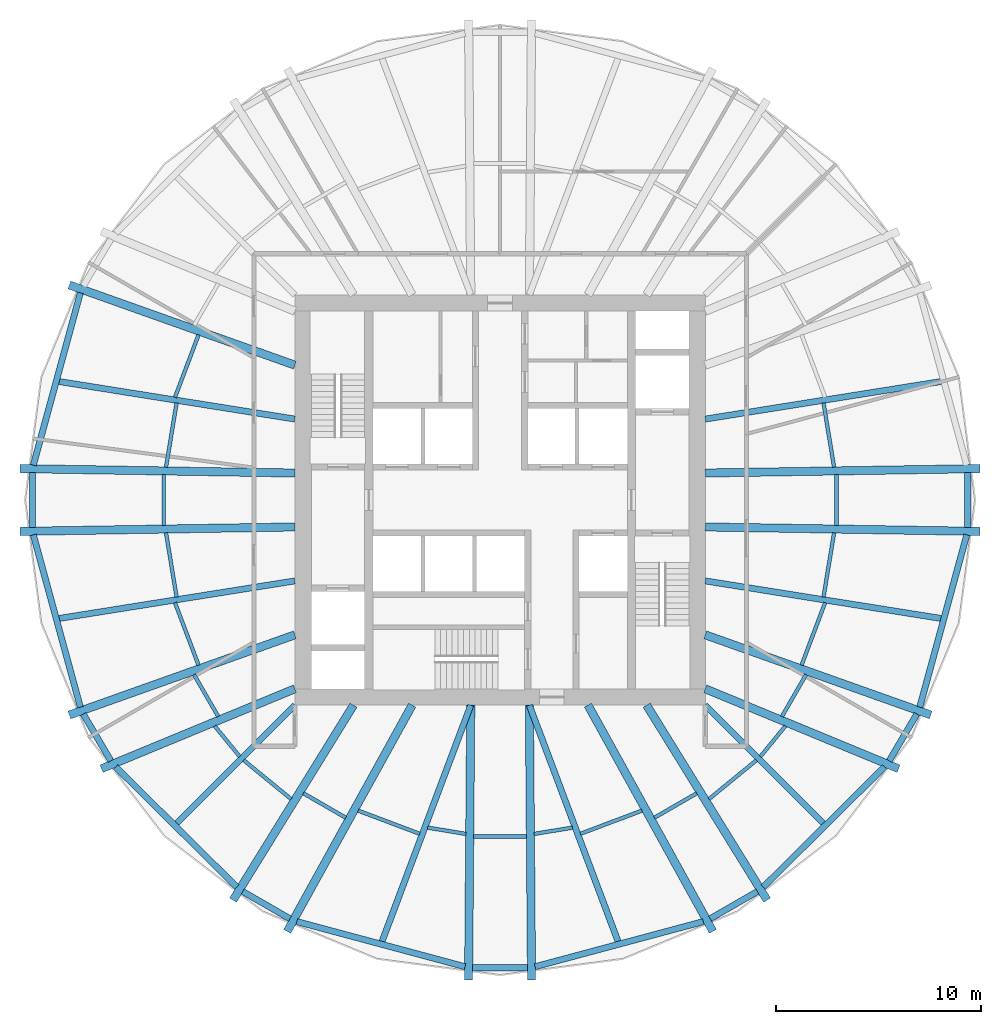
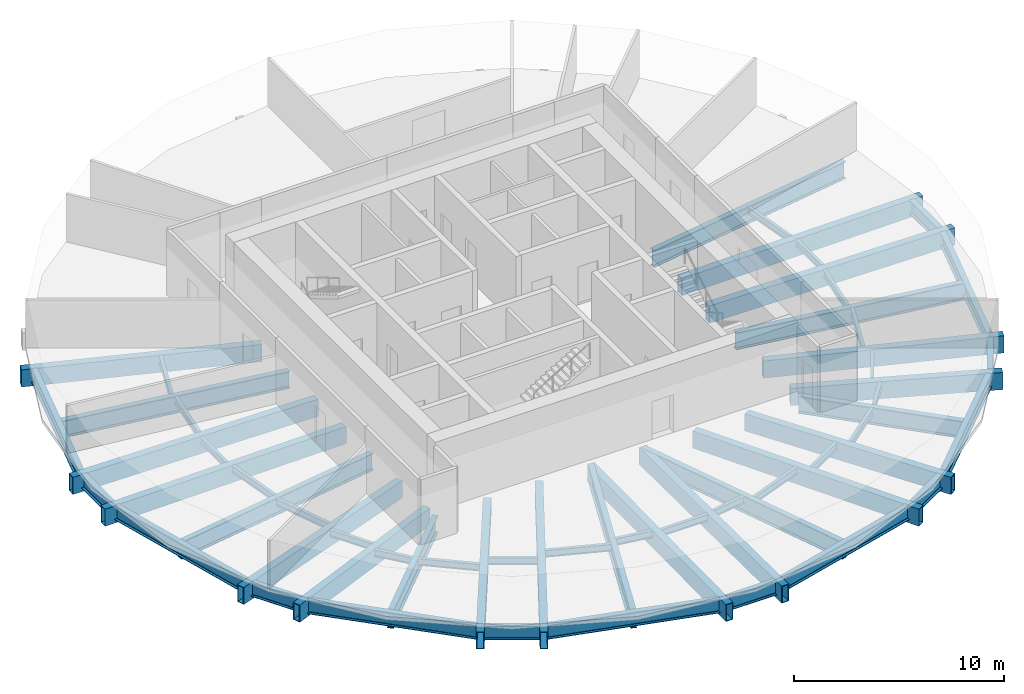
# One storey, part 1 of 6: 59 beams.
"""IFC4 building model written with IfcOpenShell, lengths in metres."""

from ifc_helpers import new_model, si_unit, direction, frame, origin, origin_2d, place, context, subcontext, project, spatial, hollow_rectangle, i_section, extrude, material, material_profile, profile_set, type_object, element, save


model = new_model("IFC4")

# Units and contexts
model_context = context("Model", 3, precision=1e-05, world=origin(), true_north=direction((0.0, 1.0)))
body_context = subcontext(model_context, "Body", "Model", "MODEL_VIEW")
ifc_project = project(units=[si_unit("LENGTHUNIT", "METRE"), si_unit("AREAUNIT", "SQUARE_METRE"), si_unit("VOLUMEUNIT", "CUBIC_METRE"), si_unit("PLANEANGLEUNIT", "RADIAN"), si_unit("MASSUNIT", "GRAM", prefix="KILO")], contexts=[model_context])

# Site, building, storey
site_placement = place(None, origin())
site = spatial("IfcSite", under=ifc_project, at=site_placement, CompositionType="ELEMENT")
building_placement = place(site_placement, origin())
building = spatial("IfcBuilding", under=site, at=building_placement, Name="Golbaran Civic Tower", CompositionType="ELEMENT")
storey_placement = place(building_placement, frame((0.0, 0.0, 49.0)))
storey = spatial("IfcBuildingStorey", under=building, at=storey_placement, Name="L11", CompositionType="ELEMENT", Elevation=49.0)

# Beams
ifc_material = material(Name="Steel S355", Category="steel")
ifc_material_profile_1 = material_profile(ifc_material, i_section(OverallWidth=0.300048828125, OverallDepth=0.800048828125, WebThickness=0.017578125, FlangeThickness=0.032958984375, FilletRadius=0.030029296875, at=origin_2d()), Name="HEB 800")
ifc_profile_set_1 = profile_set([ifc_material_profile_1], Name="Steel S355")
beam_type_1 = type_object("IfcBeamType", Name="EDGE BEAM HEB 800", PredefinedType="BEAM", material=ifc_profile_set_1)
beam_1_placement = place(storey_placement, frame((-20.450927734375, 10.0947265625, -0.60009765625), z_axis=(-0.263276423612, -0.964720438661, 0.0), x_axis=(0.964720438661, -0.263276423612, 0.0)))
element("IfcBeam", 1, at=beam_1_placement, inside=storey, type_object=beam_type_1, Name="Edge beam 153.66 L11", PredefinedType="BEAM", context=body_context, shape_type="SweptSolid", body=[
    extrude(i_section(OverallWidth=0.300048828125, OverallDepth=0.800048828125, WebThickness=0.017578125, FlangeThickness=0.032958984375, FilletRadius=0.030029296875, at=origin_2d()), origin(), (0.0, 0.0, 1.0), 8.703857421875),
])
beam_2_placement = place(storey_placement, frame((-22.791259765625, 1.3388671875, -0.60009765625), z_axis=(0.0, -1.0, 0.0), x_axis=(1.0, 0.0, 0.0)))
element("IfcBeam", 2, at=beam_2_placement, inside=storey, type_object=beam_type_1, Name="Edge beam 176.34 L11", PredefinedType="BEAM", context=body_context, shape_type="SweptSolid", body=[
    extrude(i_section(OverallWidth=0.300048828125, OverallDepth=0.800048828125, WebThickness=0.017578125, FlangeThickness=0.032958984375, FilletRadius=0.030029296875, at=origin_2d()), origin(), (0.0, 0.0, 1.0), 2.677734375),
])
beam_3_placement = place(storey_placement, frame((-22.742431640625, -1.697998046875, -0.60009765625), z_axis=(0.263276423612, -0.964720438661, 0.0), x_axis=(0.964720438661, 0.263276423612, 0.0)))
element("IfcBeam", 3, at=beam_3_placement, inside=storey, type_object=beam_type_1, Name="Edge beam 183.66 L11", PredefinedType="BEAM", context=body_context, shape_type="SweptSolid", body=[
    extrude(i_section(OverallWidth=0.300048828125, OverallDepth=0.800048828125, WebThickness=0.017578125, FlangeThickness=0.032958984375, FilletRadius=0.030029296875, at=origin_2d()), origin(), (0.0, 0.0, 1.0), 8.703857421875),
])
beam_4_placement = place(storey_placement, frame((-20.310546875, -10.427001953125, -0.60009765625), z_axis=(0.507587353896, -0.861600300699, 0.0), x_axis=(0.861600300699, 0.507587353896, 0.0)))
element("IfcBeam", 4, at=beam_4_placement, inside=storey, type_object=beam_type_1, Name="Edge beam 206.34 L11", PredefinedType="BEAM", context=body_context, shape_type="SweptSolid", body=[
    extrude(i_section(OverallWidth=0.300048828125, OverallDepth=0.800048828125, WebThickness=0.017578125, FlangeThickness=0.032958984375, FilletRadius=0.030029296875, at=origin_2d()), origin(), (0.0, 0.0, 1.0), 2.651611328125),
])
beam_5_placement = place(storey_placement, frame((-18.733642578125, -13.005615234375, -0.60009765625), z_axis=(0.710314694297, -0.703884248344, 0.0), x_axis=(0.703884248344, 0.710314694297, 0.0)))
element("IfcBeam", 5, at=beam_5_placement, inside=storey, type_object=beam_type_1, Name="Edge beam 213.66 L11", PredefinedType="BEAM", context=body_context, shape_type="SweptSolid", body=[
    extrude(i_section(OverallWidth=0.300048828125, OverallDepth=0.800048828125, WebThickness=0.017578125, FlangeThickness=0.032958984375, FilletRadius=0.030029296875, at=origin_2d()), origin(), (0.0, 0.0, 1.0), 8.314697265625),
])
beam_6_placement = place(storey_placement, frame((-12.54052734375, -19.078369140625, -0.60009765625), z_axis=(0.866205476031, -0.499687975934, 0.0), x_axis=(0.499687975934, 0.866205476031, 0.0)))
element("IfcBeam", 6, at=beam_6_placement, inside=storey, type_object=beam_type_1, Name="Edge beam 236.34 L11", PredefinedType="BEAM", context=body_context, shape_type="SweptSolid", body=[
    extrude(i_section(OverallWidth=0.300048828125, OverallDepth=0.800048828125, WebThickness=0.017578125, FlangeThickness=0.032958984375, FilletRadius=0.030029296875, at=origin_2d()), origin(), (0.0, 0.0, 1.0), 2.656494140625),
])
beam_7_placement = place(storey_placement, frame((-9.904541015625, -20.543701171875, -0.60009765625), z_axis=(0.96584705219, -0.259112855288, 0.0), x_axis=(0.259112855288, 0.96584705219, 0.0)))
element("IfcBeam", 7, at=beam_7_placement, inside=storey, type_object=beam_type_1, Name="Edge beam 243.66 L11", PredefinedType="BEAM", context=body_context, shape_type="SweptSolid", body=[
    extrude(i_section(OverallWidth=0.300048828125, OverallDepth=0.800048828125, WebThickness=0.017578125, FlangeThickness=0.032958984375, FilletRadius=0.030029296875, at=origin_2d()), origin(), (0.0, 0.0, 1.0), 8.485595703125),
])
beam_8_placement = place(storey_placement, frame((-1.34912109375, -22.790771484375, -0.60009765625), z_axis=(1.0, 0.0, 0.0), x_axis=(0.0, 1.0, 0.0)))
element("IfcBeam", 8, at=beam_8_placement, inside=storey, type_object=beam_type_1, Name="Edge beam 266.34 L11", PredefinedType="BEAM", context=body_context, shape_type="SweptSolid", body=[
    extrude(i_section(OverallWidth=0.300048828125, OverallDepth=0.800048828125, WebThickness=0.017578125, FlangeThickness=0.032958984375, FilletRadius=0.030029296875, at=origin_2d()), origin(), (0.0, 0.0, 1.0), 2.6982421875),
])
beam_9_placement = place(storey_placement, frame((1.708740234375, -22.742431640625, -0.60009765625), z_axis=(0.96584705219, 0.259112855288, 0.0), x_axis=(-0.259112855288, 0.96584705219, 0.0)))
element("IfcBeam", 9, at=beam_9_placement, inside=storey, type_object=beam_type_1, Name="Edge beam 273.66 L11", PredefinedType="BEAM", context=body_context, shape_type="SweptSolid", body=[
    extrude(i_section(OverallWidth=0.300048828125, OverallDepth=0.800048828125, WebThickness=0.017578125, FlangeThickness=0.032958984375, FilletRadius=0.030029296875, at=origin_2d()), origin(), (0.0, 0.0, 1.0), 8.485595703125),
])
beam_10_placement = place(storey_placement, frame((10.239501953125, -20.40576171875, -0.60009765625), z_axis=(0.866205476031, 0.499687975934, 0.0), x_axis=(-0.499687975934, 0.866205476031, 0.0)))
element("IfcBeam", 10, at=beam_10_placement, inside=storey, type_object=beam_type_1, Name="Edge beam 296.34 L11", PredefinedType="BEAM", context=body_context, shape_type="SweptSolid", body=[
    extrude(i_section(OverallWidth=0.300048828125, OverallDepth=0.800048828125, WebThickness=0.017578125, FlangeThickness=0.032958984375, FilletRadius=0.030029296875, at=origin_2d()), origin(), (0.0, 0.0, 1.0), 2.656494140625),
])
beam_11_placement = place(storey_placement, frame((12.82763671875, -18.858154296875, -0.60009765625), z_axis=(0.710314694297, 0.703884248344, 0.0), x_axis=(-0.703884248344, 0.710314694297, 0.0)))
element("IfcBeam", 11, at=beam_11_placement, inside=storey, type_object=beam_type_1, Name="Edge beam 303.66 L11", PredefinedType="BEAM", context=body_context, shape_type="SweptSolid", body=[
    extrude(i_section(OverallWidth=0.300048828125, OverallDepth=0.800048828125, WebThickness=0.017578125, FlangeThickness=0.032958984375, FilletRadius=0.030029296875, at=origin_2d()), origin(), (0.0, 0.0, 1.0), 8.314697265625),
])
beam_12_placement = place(storey_placement, frame((18.964599609375, -12.711669921875, -0.60009765625), z_axis=(0.507587353896, 0.861600300699, 0.0), x_axis=(-0.861600300699, 0.507587353896, 0.0)))
element("IfcBeam", 12, at=beam_12_placement, inside=storey, type_object=beam_type_1, Name="Edge beam 326.34 L11", PredefinedType="BEAM", context=body_context, shape_type="SweptSolid", body=[
    extrude(i_section(OverallWidth=0.300048828125, OverallDepth=0.800048828125, WebThickness=0.017578125, FlangeThickness=0.032958984375, FilletRadius=0.030029296875, at=origin_2d()), origin(), (0.0, 0.0, 1.0), 2.651611328125),
])
beam_13_placement = place(storey_placement, frame((20.450927734375, -10.0947265625, -0.60009765625), z_axis=(0.263276423612, 0.964720438661, 0.0), x_axis=(-0.964720438661, 0.263276423612, 0.0)))
element("IfcBeam", 13, at=beam_13_placement, inside=storey, type_object=beam_type_1, Name="Edge beam 333.66 L11", PredefinedType="BEAM", context=body_context, shape_type="SweptSolid", body=[
    extrude(i_section(OverallWidth=0.300048828125, OverallDepth=0.800048828125, WebThickness=0.017578125, FlangeThickness=0.032958984375, FilletRadius=0.030029296875, at=origin_2d()), origin(), (0.0, 0.0, 1.0), 8.703857421875),
])
beam_14_placement = place(storey_placement, frame((22.791259765625, -1.3388671875, -0.60009765625), z_axis=(0.0, 1.0, 0.0), x_axis=(-1.0, 0.0, 0.0)))
element("IfcBeam", 14, at=beam_14_placement, inside=storey, type_object=beam_type_1, Name="Edge beam 356.34 L11", PredefinedType="BEAM", context=body_context, shape_type="SweptSolid", body=[
    extrude(i_section(OverallWidth=0.300048828125, OverallDepth=0.800048828125, WebThickness=0.017578125, FlangeThickness=0.032958984375, FilletRadius=0.030029296875, at=origin_2d()), origin(), (0.0, 0.0, 1.0), 2.677734375),
])
ifc_material_profile_2 = material_profile(ifc_material, i_section(OverallWidth=0.179931640625, OverallDepth=0.39990234375, WebThickness=0.008544921875, FlangeThickness=0.013427734375, FilletRadius=0.02099609375, at=origin_2d()), Name="IPE 400")
ifc_profile_set_2 = profile_set([ifc_material_profile_2], Name="Steel S355")
beam_type_2 = type_object("IfcBeamType", Name="FLOOR INFILL BEAM IPE 400", PredefinedType="BEAM", material=ifc_profile_set_2)
beam_15_placement = place(storey_placement, frame((16.27783203125, 1.5947265625, -0.39990234375), z_axis=(-0.162179944824, 0.986761199834, 0.0), x_axis=(-0.986761199834, -0.162179944824, 0.0)))
element("IfcBeam", 15, at=beam_15_placement, inside=storey, type_object=beam_type_2, Name="Infill beam 9.33 L11", PredefinedType="BEAM", context=body_context, shape_type="SweptSolid", body=[
    extrude(i_section(OverallWidth=0.179931640625, OverallDepth=0.39990234375, WebThickness=0.008544921875, FlangeThickness=0.013427734375, FilletRadius=0.02099609375, at=origin_2d()), origin(), (0.0, 0.0, 1.0), 3.17626953125),
])
beam_16_placement = place(storey_placement, frame((-14.6923828125, 8.048095703125, -0.39990234375), z_axis=(-0.352981635382, -0.935630250197, 0.0), x_axis=(0.935630250197, -0.352981635382, 0.0)))
element("IfcBeam", 16, at=beam_16_placement, inside=storey, type_object=beam_type_2, Name="Infill beam 159.33 L11", PredefinedType="BEAM", context=body_context, shape_type="SweptSolid", body=[
    extrude(i_section(OverallWidth=0.179931640625, OverallDepth=0.39990234375, WebThickness=0.008544921875, FlangeThickness=0.013427734375, FilletRadius=0.02099609375, at=origin_2d()), origin(), (0.0, 0.0, 1.0), 3.2529296875),
])
beam_17_placement = place(storey_placement, frame((-15.7626953125, 4.72900390625, -0.39990234375), z_axis=(-0.162179944824, -0.986761199834, 0.0), x_axis=(0.986761199834, -0.162179944824, 0.0)))
element("IfcBeam", 17, at=beam_17_placement, inside=storey, type_object=beam_type_2, Name="Infill beam 170.67 L11", PredefinedType="BEAM", context=body_context, shape_type="SweptSolid", body=[
    extrude(i_section(OverallWidth=0.179931640625, OverallDepth=0.39990234375, WebThickness=0.008544921875, FlangeThickness=0.013427734375, FilletRadius=0.02099609375, at=origin_2d()), origin(), (0.0, 0.0, 1.0), 3.17626953125),
])
beam_18_placement = place(storey_placement, frame((-16.395751953125, 1.236572265625, -0.39990234375), z_axis=(0.0, -1.0, 0.0), x_axis=(1.0, 0.0, 0.0)))
element("IfcBeam", 18, at=beam_18_placement, inside=storey, type_object=beam_type_2, Name="Infill beam 180.00 L11", PredefinedType="BEAM", context=body_context, shape_type="SweptSolid", body=[
    extrude(i_section(OverallWidth=0.179931640625, OverallDepth=0.39990234375, WebThickness=0.008544921875, FlangeThickness=0.013427734375, FilletRadius=0.02099609375, at=origin_2d()), origin(), (0.0, 0.0, 1.0), 2.47314453125),
])
beam_19_placement = place(storey_placement, frame((-16.27783203125, -1.5947265625, -0.39990234375), z_axis=(0.162179944824, -0.986761199834, 0.0), x_axis=(0.986761199834, 0.162179944824, 0.0)))
element("IfcBeam", 19, at=beam_19_placement, inside=storey, type_object=beam_type_2, Name="Infill beam 189.33 L11", PredefinedType="BEAM", context=body_context, shape_type="SweptSolid", body=[
    extrude(i_section(OverallWidth=0.179931640625, OverallDepth=0.39990234375, WebThickness=0.008544921875, FlangeThickness=0.013427734375, FilletRadius=0.02099609375, at=origin_2d()), origin(), (0.0, 0.0, 1.0), 3.17626953125),
])
beam_20_placement = place(storey_placement, frame((-15.840576171875, -5.004638671875, -0.39990234375), z_axis=(0.352981635382, -0.935630250197, 0.0), x_axis=(0.935630250197, 0.352981635382, 0.0)))
element("IfcBeam", 20, at=beam_20_placement, inside=storey, type_object=beam_type_2, Name="Infill beam 200.67 L11", PredefinedType="BEAM", context=body_context, shape_type="SweptSolid", body=[
    extrude(i_section(OverallWidth=0.179931640625, OverallDepth=0.39990234375, WebThickness=0.008544921875, FlangeThickness=0.013427734375, FilletRadius=0.02099609375, at=origin_2d()), origin(), (0.0, 0.0, 1.0), 3.2529296875),
])
beam_21_placement = place(storey_placement, frame((-14.91357421875, -8.5087890625, -0.39990234375), z_axis=(0.499994490818, -0.866028584489, 0.0), x_axis=(0.866028584489, 0.499994490818, 0.0)))
element("IfcBeam", 21, at=beam_21_placement, inside=storey, type_object=beam_type_2, Name="Infill beam 210.00 L11", PredefinedType="BEAM", context=body_context, shape_type="SweptSolid", body=[
    extrude(i_section(OverallWidth=0.179931640625, OverallDepth=0.39990234375, WebThickness=0.008544921875, FlangeThickness=0.013427734375, FilletRadius=0.02099609375, at=origin_2d()), origin(), (0.0, 0.0, 1.0), 2.3564453125),
])
beam_22_placement = place(storey_placement, frame((-13.908203125, -11.0107421875, -0.39990234375), z_axis=(0.633823662999, -0.773477578358, 0.0), x_axis=(0.773477578358, 0.633823662999, 0.0)))
element("IfcBeam", 22, at=beam_22_placement, inside=storey, type_object=beam_type_2, Name="Infill beam 219.33 L11", PredefinedType="BEAM", context=body_context, shape_type="SweptSolid", body=[
    extrude(i_section(OverallWidth=0.179931640625, OverallDepth=0.39990234375, WebThickness=0.008544921875, FlangeThickness=0.013427734375, FilletRadius=0.02099609375, at=origin_2d()), origin(), (0.0, 0.0, 1.0), 1.92822265625),
])
beam_23_placement = place(storey_placement, frame((-12.4951171875, -12.678955078125, -0.39990234375), z_axis=(0.773506224093, -0.633788703978, 0.0), x_axis=(0.633788703978, 0.773506224093, 0.0)))
element("IfcBeam", 23, at=beam_23_placement, inside=storey, type_object=beam_type_2, Name="Infill beam 230.67 L11", PredefinedType="BEAM", context=body_context, shape_type="SweptSolid", body=[
    extrude(i_section(OverallWidth=0.179931640625, OverallDepth=0.39990234375, WebThickness=0.008544921875, FlangeThickness=0.013427734375, FilletRadius=0.02099609375, at=origin_2d()), origin(), (0.0, 0.0, 1.0), 2.991455078125),
])
beam_24_placement = place(storey_placement, frame((-9.58349609375, -14.292724609375, -0.39990234375), z_axis=(0.866052464367, -0.499953126767, 0.0), x_axis=(0.499953126767, 0.866052464367, 0.0)))
element("IfcBeam", 24, at=beam_24_placement, inside=storey, type_object=beam_type_2, Name="Infill beam 240.00 L11", PredefinedType="BEAM", context=body_context, shape_type="SweptSolid", body=[
    extrude(i_section(OverallWidth=0.179931640625, OverallDepth=0.39990234375, WebThickness=0.008544921875, FlangeThickness=0.013427734375, FilletRadius=0.02099609375, at=origin_2d()), origin(), (0.0, 0.0, 1.0), 2.382080078125),
])
beam_25_placement = place(storey_placement, frame((-6.9169921875, -15.1357421875, -0.39990234375), z_axis=(0.935647784584, -0.352935154387, 0.0), x_axis=(0.352935154387, 0.935647784584, 0.0)))
element("IfcBeam", 25, at=beam_25_placement, inside=storey, type_object=beam_type_2, Name="Infill beam 249.33 L11", PredefinedType="BEAM", context=body_context, shape_type="SweptSolid", body=[
    extrude(i_section(OverallWidth=0.179931640625, OverallDepth=0.39990234375, WebThickness=0.008544921875, FlangeThickness=0.013427734375, FilletRadius=0.02099609375, at=origin_2d()), origin(), (0.0, 0.0, 1.0), 3.203369140625),
])
beam_26_placement = place(storey_placement, frame((-3.529052734375, -15.9658203125, -0.39990234375), z_axis=(0.986774033504, -0.162101840838, 0.0), x_axis=(0.162101840838, 0.986774033504, 0.0)))
element("IfcBeam", 26, at=beam_26_placement, inside=storey, type_object=beam_type_2, Name="Infill beam 260.67 L11", PredefinedType="BEAM", context=body_context, shape_type="SweptSolid", body=[
    extrude(i_section(OverallWidth=0.179931640625, OverallDepth=0.39990234375, WebThickness=0.008544921875, FlangeThickness=0.013427734375, FilletRadius=0.02099609375, at=origin_2d()), origin(), (0.0, 0.0, 1.0), 1.896240234375),
])
beam_27_placement = place(storey_placement, frame((-1.298828125, -16.395263671875, -0.39990234375), z_axis=(1.0, 0.0, 0.0), x_axis=(0.0, 1.0, 0.0)))
element("IfcBeam", 27, at=beam_27_placement, inside=storey, type_object=beam_type_2, Name="Infill beam 270.00 L11", PredefinedType="BEAM", context=body_context, shape_type="SweptSolid", body=[
    extrude(i_section(OverallWidth=0.179931640625, OverallDepth=0.39990234375, WebThickness=0.008544921875, FlangeThickness=0.013427734375, FilletRadius=0.02099609375, at=origin_2d()), origin(), (0.0, 0.0, 1.0), 2.59765625),
])
beam_28_placement = place(storey_placement, frame((1.657958984375, -16.273193359375, -0.39990234375), z_axis=(0.986774033504, 0.162101840838, 0.0), x_axis=(-0.162101840838, 0.986774033504, 0.0)))
element("IfcBeam", 28, at=beam_28_placement, inside=storey, type_object=beam_type_2, Name="Infill beam 279.33 L11", PredefinedType="BEAM", context=body_context, shape_type="SweptSolid", body=[
    extrude(i_section(OverallWidth=0.179931640625, OverallDepth=0.39990234375, WebThickness=0.008544921875, FlangeThickness=0.013427734375, FilletRadius=0.02099609375, at=origin_2d()), origin(), (0.0, 0.0, 1.0), 1.896240234375),
])
beam_29_placement = place(storey_placement, frame((3.919677734375, -16.266357421875, -0.39990234375), z_axis=(0.935647784584, 0.352935154387, 0.0), x_axis=(-0.352935154387, 0.935647784584, 0.0)))
element("IfcBeam", 29, at=beam_29_placement, inside=storey, type_object=beam_type_2, Name="Infill beam 290.67 L11", PredefinedType="BEAM", context=body_context, shape_type="SweptSolid", body=[
    extrude(i_section(OverallWidth=0.179931640625, OverallDepth=0.39990234375, WebThickness=0.008544921875, FlangeThickness=0.013427734375, FilletRadius=0.02099609375, at=origin_2d()), origin(), (0.0, 0.0, 1.0), 3.203369140625),
])
beam_30_placement = place(storey_placement, frame((7.5205078125, -15.483642578125, -0.39990234375), z_axis=(0.866052464367, 0.499953126767, 0.0), x_axis=(-0.499953126767, 0.866052464367, 0.0)))
element("IfcBeam", 30, at=beam_30_placement, inside=storey, type_object=beam_type_2, Name="Infill beam 300.00 L11", PredefinedType="BEAM", context=body_context, shape_type="SweptSolid", body=[
    extrude(i_section(OverallWidth=0.179931640625, OverallDepth=0.39990234375, WebThickness=0.008544921875, FlangeThickness=0.013427734375, FilletRadius=0.02099609375, at=origin_2d()), origin(), (0.0, 0.0, 1.0), 2.382080078125),
])
beam_31_placement = place(storey_placement, frame((10.18115234375, -14.574951171875, -0.39990234375), z_axis=(0.773506224093, 0.633788703978, 0.0), x_axis=(-0.633788703978, 0.773506224093, 0.0)))
element("IfcBeam", 31, at=beam_31_placement, inside=storey, type_object=beam_type_2, Name="Infill beam 309.33 L11", PredefinedType="BEAM", context=body_context, shape_type="SweptSolid", body=[
    extrude(i_section(OverallWidth=0.179931640625, OverallDepth=0.39990234375, WebThickness=0.008544921875, FlangeThickness=0.013427734375, FilletRadius=0.02099609375, at=origin_2d()), origin(), (0.0, 0.0, 1.0), 2.991455078125),
])
beam_32_placement = place(storey_placement, frame((12.68603515625, -12.502197265625, -0.39990234375), z_axis=(0.633823662999, 0.773477578358, 0.0), x_axis=(-0.773477578358, 0.633823662999, 0.0)))
element("IfcBeam", 32, at=beam_32_placement, inside=storey, type_object=beam_type_2, Name="Infill beam 320.67 L11", PredefinedType="BEAM", context=body_context, shape_type="SweptSolid", body=[
    extrude(i_section(OverallWidth=0.179931640625, OverallDepth=0.39990234375, WebThickness=0.008544921875, FlangeThickness=0.013427734375, FilletRadius=0.02099609375, at=origin_2d()), origin(), (0.0, 0.0, 1.0), 1.92822265625),
])
beam_33_placement = place(storey_placement, frame((13.7353515625, -10.549560546875, -0.39990234375), z_axis=(0.499994490818, 0.866028584489, 0.0), x_axis=(-0.866028584489, 0.499994490818, 0.0)))
element("IfcBeam", 33, at=beam_33_placement, inside=storey, type_object=beam_type_2, Name="Infill beam 330.00 L11", PredefinedType="BEAM", context=body_context, shape_type="SweptSolid", body=[
    extrude(i_section(OverallWidth=0.179931640625, OverallDepth=0.39990234375, WebThickness=0.008544921875, FlangeThickness=0.013427734375, FilletRadius=0.02099609375, at=origin_2d()), origin(), (0.0, 0.0, 1.0), 2.3564453125),
])
beam_34_placement = place(storey_placement, frame((14.6923828125, -8.048095703125, -0.39990234375), z_axis=(0.352981635382, 0.935630250197, 0.0), x_axis=(-0.935630250197, 0.352981635382, 0.0)))
element("IfcBeam", 34, at=beam_34_placement, inside=storey, type_object=beam_type_2, Name="Infill beam 339.33 L11", PredefinedType="BEAM", context=body_context, shape_type="SweptSolid", body=[
    extrude(i_section(OverallWidth=0.179931640625, OverallDepth=0.39990234375, WebThickness=0.008544921875, FlangeThickness=0.013427734375, FilletRadius=0.02099609375, at=origin_2d()), origin(), (0.0, 0.0, 1.0), 3.2529296875),
])
beam_35_placement = place(storey_placement, frame((15.7626953125, -4.72900390625, -0.39990234375), z_axis=(0.162179944824, 0.986761199834, 0.0), x_axis=(-0.986761199834, 0.162179944824, 0.0)))
element("IfcBeam", 35, at=beam_35_placement, inside=storey, type_object=beam_type_2, Name="Infill beam 350.67 L11", PredefinedType="BEAM", context=body_context, shape_type="SweptSolid", body=[
    extrude(i_section(OverallWidth=0.179931640625, OverallDepth=0.39990234375, WebThickness=0.008544921875, FlangeThickness=0.013427734375, FilletRadius=0.02099609375, at=origin_2d()), origin(), (0.0, 0.0, 1.0), 3.17626953125),
])
beam_36_placement = place(storey_placement, frame((16.395751953125, -1.236572265625, -0.39990234375), z_axis=(0.0, 1.0, 0.0), x_axis=(-1.0, 0.0, 0.0)))
element("IfcBeam", 36, at=beam_36_placement, inside=storey, type_object=beam_type_2, Name="Infill beam 0.00 L11", PredefinedType="BEAM", context=body_context, shape_type="SweptSolid", body=[
    extrude(i_section(OverallWidth=0.179931640625, OverallDepth=0.39990234375, WebThickness=0.008544921875, FlangeThickness=0.013427734375, FilletRadius=0.02099609375, at=origin_2d()), origin(), (0.0, 0.0, 1.0), 2.47314453125),
])
ifc_material_profile_3 = material_profile(ifc_material, hollow_rectangle(XDim=0.39990234375, YDim=1.0, WallThickness=0.0400390625, at=origin_2d()), Name="BOX 1000x400x40")
ifc_profile_set_3 = profile_set([ifc_material_profile_3], Name="Steel S355")
beam_type_3 = type_object("IfcBeamType", Name="RADIAL FLOOR BEAM BOX 1000x400x40", PredefinedType="BEAM", material=ifc_profile_set_3)
beam_37_placement = place(storey_placement, frame((10.0, 1.314208984375, -0.7099609375), z_axis=(0.999872190148, 0.015987600473, 0.0), x_axis=(-0.015987600473, 0.999872190148, 0.0)))
element("IfcBeam", 37, at=beam_37_placement, inside=storey, type_object=beam_type_3, Name="Radial beam 3.66 L11", PredefinedType="BEAM", context=body_context, shape_type="SweptSolid", body=[
    extrude(hollow_rectangle(XDim=0.39990234375, YDim=1.0, WallThickness=0.0400390625, at=origin_2d()), origin(), (0.0, 0.0, 1.0), 13.392333984375),
])
beam_38_placement = place(storey_placement, frame((-10.0, 6.571533203125, -0.7099609375), z_axis=(-0.942260349036, 0.334881224668, 0.0), x_axis=(-0.334881224668, -0.942260349036, 0.0)))
element("IfcBeam", 38, at=beam_38_placement, inside=storey, type_object=beam_type_3, Name="Radial beam 153.66 L11", PredefinedType="BEAM", context=body_context, shape_type="SweptSolid", body=[
    extrude(hollow_rectangle(XDim=0.39990234375, YDim=1.0, WallThickness=0.0400390625, at=origin_2d()), origin(), (0.0, 0.0, 1.0), 11.662353515625),
])
for number, where, z_axis, x_axis, name in (
    (39, (-10.0, 1.314208984375, -0.7099609375), (-0.999872190148, 0.015987600473, 0.0), (-0.015987600473, -0.999872190148, 0.0), "Radial beam 176.34 L11"),
    (40, (-10.0, -1.314208984375, -0.7099609375), (-0.999872190148, -0.015987600473, 0.0), (0.015987600473, -0.999872190148, 0.0), "Radial beam 183.66 L11"),
):
    element("IfcBeam", number, at=place(storey_placement, frame(where, z_axis=z_axis, x_axis=x_axis)), inside=storey, type_object=beam_type_3, Name=name, PredefinedType="BEAM", context=body_context, shape_type="SweptSolid", body=[
        extrude(hollow_rectangle(XDim=0.39990234375, YDim=1.0, WallThickness=0.0400390625, at=origin_2d()), origin(), (0.0, 0.0, 1.0), 13.392333984375),
    ])
beam_39_placement = place(storey_placement, frame((-10.0, -6.571533203125, -0.7099609375), z_axis=(-0.942260349036, -0.334881224668, 0.0), x_axis=(0.334881224668, -0.942260349036, 0.0)))
element("IfcBeam", 41, at=beam_39_placement, inside=storey, type_object=beam_type_3, Name="Radial beam 206.34 L11", PredefinedType="BEAM", context=body_context, shape_type="SweptSolid", body=[
    extrude(hollow_rectangle(XDim=0.39990234375, YDim=1.0, WallThickness=0.0400390625, at=origin_2d()), origin(), (0.0, 0.0, 1.0), 11.662353515625),
])
beam_40_placement = place(storey_placement, frame((-10.0, -9.199951171875, -0.7099609375), z_axis=(-0.924125618156, -0.382088787937, 0.0), x_axis=(0.382088787937, -0.924125618156, 0.0)))
element("IfcBeam", 42, at=beam_40_placement, inside=storey, type_object=beam_type_3, Name="Radial beam 213.66 L11", PredefinedType="BEAM", context=body_context, shape_type="SweptSolid", body=[
    extrude(hollow_rectangle(XDim=0.39990234375, YDim=1.0, WallThickness=0.0400390625, at=origin_2d()), origin(), (0.0, 0.0, 1.0), 10.194580078125),
])
beam_41_placement = place(storey_placement, frame((-7.142822265625, -10.0, -0.7099609375), z_axis=(-0.525628799704, -0.8507140324, 0.0), x_axis=(0.8507140324, -0.525628799704, 0.0)))
element("IfcBeam", 43, at=beam_41_placement, inside=storey, type_object=beam_type_3, Name="Radial beam 236.34 L11", PredefinedType="BEAM", context=body_context, shape_type="SweptSolid", body=[
    extrude(hollow_rectangle(XDim=0.39990234375, YDim=1.0, WallThickness=0.0400390625, at=origin_2d()), origin(), (0.0, 0.0, 1.0), 11.166015625),
])
beam_42_placement = place(storey_placement, frame((-4.28564453125, -10.0, -0.7099609375), z_axis=(-0.483540685927, -0.875321886539, 0.0), x_axis=(0.875321886539, -0.483540685927, 0.0)))
element("IfcBeam", 44, at=beam_42_placement, inside=storey, type_object=beam_type_3, Name="Radial beam 243.66 L11", PredefinedType="BEAM", context=body_context, shape_type="SweptSolid", body=[
    extrude(hollow_rectangle(XDim=0.39990234375, YDim=1.0, WallThickness=0.0400390625, at=origin_2d()), origin(), (0.0, 0.0, 1.0), 12.59033203125),
])
for number, where, z_axis, x_axis, name in (
    (45, (-1.428466796875, -10.0, -0.7099609375), (-0.007858697544, -0.99996911996, 0.0), (0.99996911996, -0.007858697544, 0.0), "Radial beam 266.34 L11"),
    (46, (1.428466796875, -10.0, -0.7099609375), (0.007858697544, -0.99996911996, 0.0), (0.99996911996, 0.007858697544, 0.0), "Radial beam 273.66 L11"),
):
    element("IfcBeam", number, at=place(storey_placement, frame(where, z_axis=z_axis, x_axis=x_axis)), inside=storey, type_object=beam_type_3, Name=name, PredefinedType="BEAM", context=body_context, shape_type="SweptSolid", body=[
        extrude(hollow_rectangle(XDim=0.39990234375, YDim=1.0, WallThickness=0.0400390625, at=origin_2d()), origin(), (0.0, 0.0, 1.0), 13.3896484375),
    ])
beam_43_placement = place(storey_placement, frame((4.28564453125, -10.0, -0.7099609375), z_axis=(0.483540685927, -0.875321886539, 0.0), x_axis=(0.875321886539, 0.483540685927, 0.0)))
element("IfcBeam", 47, at=beam_43_placement, inside=storey, type_object=beam_type_3, Name="Radial beam 296.34 L11", PredefinedType="BEAM", context=body_context, shape_type="SweptSolid", body=[
    extrude(hollow_rectangle(XDim=0.39990234375, YDim=1.0, WallThickness=0.0400390625, at=origin_2d()), origin(), (0.0, 0.0, 1.0), 12.59033203125),
])
beam_44_placement = place(storey_placement, frame((7.142822265625, -10.0, -0.7099609375), z_axis=(0.525628799704, -0.8507140324, 0.0), x_axis=(0.8507140324, 0.525628799704, 0.0)))
element("IfcBeam", 48, at=beam_44_placement, inside=storey, type_object=beam_type_3, Name="Radial beam 303.66 L11", PredefinedType="BEAM", context=body_context, shape_type="SweptSolid", body=[
    extrude(hollow_rectangle(XDim=0.39990234375, YDim=1.0, WallThickness=0.0400390625, at=origin_2d()), origin(), (0.0, 0.0, 1.0), 11.166015625),
])
beam_45_placement = place(storey_placement, frame((10.0, -9.199951171875, -0.7099609375), z_axis=(0.924125618156, -0.382088787937, 0.0), x_axis=(0.382088787937, 0.924125618156, 0.0)))
element("IfcBeam", 49, at=beam_45_placement, inside=storey, type_object=beam_type_3, Name="Radial beam 326.34 L11", PredefinedType="BEAM", context=body_context, shape_type="SweptSolid", body=[
    extrude(hollow_rectangle(XDim=0.39990234375, YDim=1.0, WallThickness=0.0400390625, at=origin_2d()), origin(), (0.0, 0.0, 1.0), 10.194580078125),
])
beam_46_placement = place(storey_placement, frame((10.0, -6.571533203125, -0.7099609375), z_axis=(0.942260349036, -0.334881224668, 0.0), x_axis=(0.334881224668, 0.942260349036, 0.0)))
element("IfcBeam", 50, at=beam_46_placement, inside=storey, type_object=beam_type_3, Name="Radial beam 333.66 L11", PredefinedType="BEAM", context=body_context, shape_type="SweptSolid", body=[
    extrude(hollow_rectangle(XDim=0.39990234375, YDim=1.0, WallThickness=0.0400390625, at=origin_2d()), origin(), (0.0, 0.0, 1.0), 11.662353515625),
])
beam_47_placement = place(storey_placement, frame((10.0, -1.314208984375, -0.7099609375), z_axis=(0.999872190148, -0.015987600473, 0.0), x_axis=(0.015987600473, 0.999872190148, 0.0)))
element("IfcBeam", 51, at=beam_47_placement, inside=storey, type_object=beam_type_3, Name="Radial beam 356.34 L11", PredefinedType="BEAM", context=body_context, shape_type="SweptSolid", body=[
    extrude(hollow_rectangle(XDim=0.39990234375, YDim=1.0, WallThickness=0.0400390625, at=origin_2d()), origin(), (0.0, 0.0, 1.0), 13.392333984375),
])
ifc_material_profile_4 = material_profile(ifc_material, i_section(OverallWidth=0.300048828125, OverallDepth=1.0, WebThickness=0.01904296875, FlangeThickness=0.035888671875, FilletRadius=0.030029296875, at=origin_2d()), Name="HEB 1000")
ifc_profile_set_4 = profile_set([ifc_material_profile_4], Name="Steel S355")
beam_type_4 = type_object("IfcBeamType", Name="SECONDARY FLOOR BEAM HEB 1000", PredefinedType="BEAM", material=ifc_profile_set_4)
for number, where, z_axis, x_axis, name in (
    (52, (10.0, 3.94287109375, -0.7099609375), (0.987554400832, 0.157277796898, 0.0), (-0.157277796898, 0.987554400832, 0.0), "Secondary beam 15.00 L11"),
    (53, (-10.0, 3.94287109375, -0.7099609375), (-0.987554400832, 0.157277796898, 0.0), (-0.157277796898, -0.987554400832, 0.0), "Secondary beam 165.00 L11"),
    (54, (-10.0, -3.94287109375, -0.7099609375), (-0.987554400832, -0.157277796898, 0.0), (0.157277796898, -0.987554400832, 0.0), "Secondary beam 195.00 L11"),
):
    element("IfcBeam", number, at=place(storey_placement, frame(where, z_axis=z_axis, x_axis=x_axis)), inside=storey, type_object=beam_type_4, Name=name, PredefinedType="BEAM", context=body_context, shape_type="SweptSolid", body=[
        extrude(i_section(OverallWidth=0.300048828125, OverallDepth=1.0, WebThickness=0.01904296875, FlangeThickness=0.035888671875, FilletRadius=0.030029296875, at=origin_2d()), origin(), (0.0, 0.0, 1.0), 11.77099609375),
    ])
beam_48_placement = place(storey_placement, frame((-10.0, -10.0, -0.7099609375), z_axis=(-0.707106781187, -0.707106781187, 0.0), x_axis=(0.707106781187, -0.707106781187, 0.0)))
element("IfcBeam", 55, at=beam_48_placement, inside=storey, type_object=beam_type_4, Name="Secondary beam 225.00 L11", PredefinedType="BEAM", context=body_context, shape_type="SweptSolid", body=[
    extrude(i_section(OverallWidth=0.300048828125, OverallDepth=1.0, WebThickness=0.01904296875, FlangeThickness=0.035888671875, FilletRadius=0.030029296875, at=origin_2d()), origin(), (0.0, 0.0, 1.0), 8.28271484375),
])
for number, where, z_axis, x_axis, name in (
    (56, (-1.428466796875, -10.0, -0.7099609375), (-0.351437468166, -0.93621135753, 0.0), (0.93621135753, -0.351437468166, 0.0), "Secondary beam 255.00 L11"),
    (57, (1.428466796875, -10.0, -0.7099609375), (0.351437468166, -0.93621135753, 0.0), (0.93621135753, 0.351437468166, 0.0), "Secondary beam 285.00 L11"),
):
    element("IfcBeam", number, at=place(storey_placement, frame(where, z_axis=z_axis, x_axis=x_axis)), inside=storey, type_object=beam_type_4, Name=name, PredefinedType="BEAM", context=body_context, shape_type="SweptSolid", body=[
        extrude(i_section(OverallWidth=0.300048828125, OverallDepth=1.0, WebThickness=0.01904296875, FlangeThickness=0.035888671875, FilletRadius=0.030029296875, at=origin_2d()), origin(), (0.0, 0.0, 1.0), 12.4384765625),
    ])
beam_49_placement = place(storey_placement, frame((10.0, -10.0, -0.7099609375), z_axis=(0.707106781187, -0.707106781187, 0.0), x_axis=(0.707106781187, 0.707106781187, 0.0)))
element("IfcBeam", 58, at=beam_49_placement, inside=storey, type_object=beam_type_4, Name="Secondary beam 315.00 L11", PredefinedType="BEAM", context=body_context, shape_type="SweptSolid", body=[
    extrude(i_section(OverallWidth=0.300048828125, OverallDepth=1.0, WebThickness=0.01904296875, FlangeThickness=0.035888671875, FilletRadius=0.030029296875, at=origin_2d()), origin(), (0.0, 0.0, 1.0), 8.28271484375),
])
beam_50_placement = place(storey_placement, frame((10.0, -3.94287109375, -0.7099609375), z_axis=(0.987554400832, -0.157277796898, 0.0), x_axis=(0.157277796898, 0.987554400832, 0.0)))
element("IfcBeam", 59, at=beam_50_placement, inside=storey, type_object=beam_type_4, Name="Secondary beam 345.00 L11", PredefinedType="BEAM", context=body_context, shape_type="SweptSolid", body=[
    extrude(i_section(OverallWidth=0.300048828125, OverallDepth=1.0, WebThickness=0.01904296875, FlangeThickness=0.035888671875, FilletRadius=0.030029296875, at=origin_2d()), origin(), (0.0, 0.0, 1.0), 11.77099609375),
])

save(model, "model.ifc")
